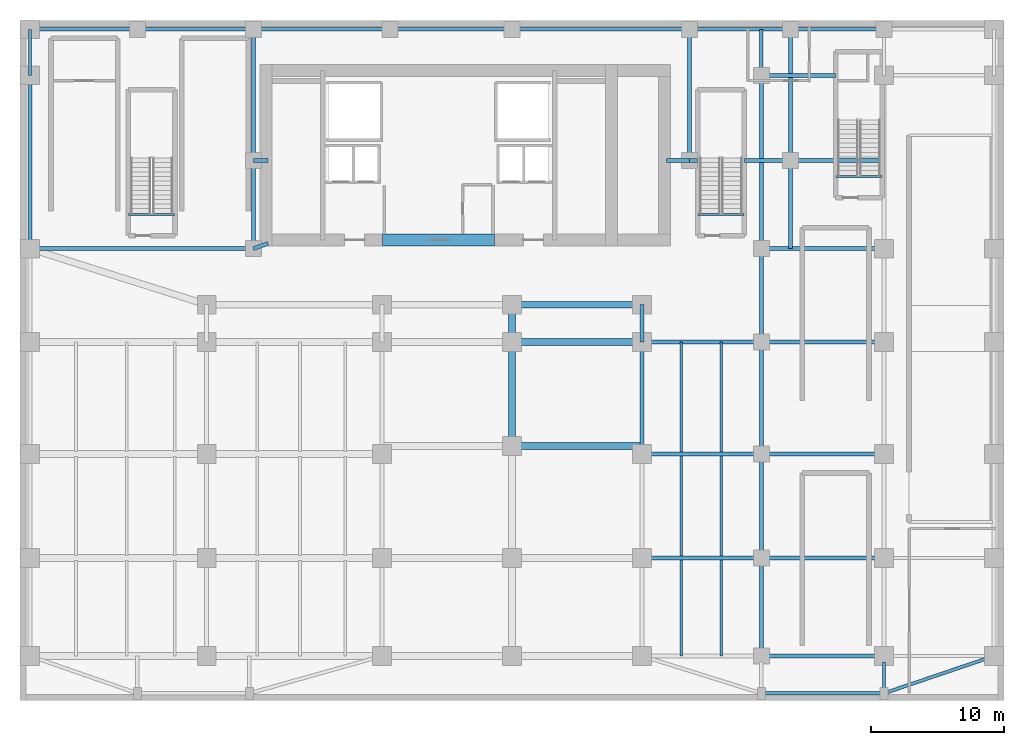
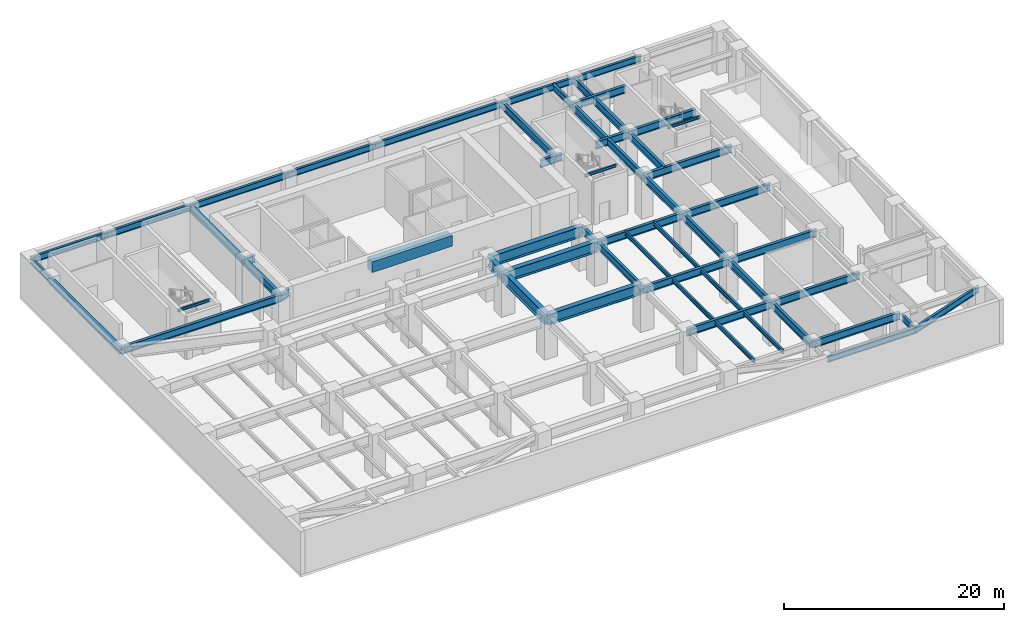
# One storey, part 2 of 8: 56 beams.
"""IFC4 building model written with IfcOpenShell, lengths in metres."""

from ifc_helpers import new_model, si_unit, direction, frame, origin, origin_2d, place, context, subcontext, project, spatial, rectangle, i_section, extrude, source, transform, mapped, material, material_profile, profile_set, type_object, type_shapes, element, save


model = new_model("IFC4")

# Units and contexts
model_context = context("Model", 3, precision=1e-05, world=origin(), true_north=direction((0.0, 1.0)))
body_context = subcontext(model_context, "Body", "Model", "MODEL_VIEW")
ifc_project = project(units=[si_unit("LENGTHUNIT", "METRE"), si_unit("AREAUNIT", "SQUARE_METRE"), si_unit("VOLUMEUNIT", "CUBIC_METRE"), si_unit("PLANEANGLEUNIT", "RADIAN"), si_unit("MASSUNIT", "GRAM", prefix="KILO")], contexts=[model_context])

# Site, building, storey
site_placement = place(None, origin())
site = spatial("IfcSite", under=ifc_project, at=site_placement, CompositionType="ELEMENT")
building_placement = place(site_placement, origin())
building = spatial("IfcBuilding", under=site, at=building_placement, Name="Tolvann Quenvar Hotel", CompositionType="ELEMENT")
storey_placement = place(building_placement, frame((0.0, 0.0, -9.60009765625)))
storey = spatial("IfcBuildingStorey", under=building, at=storey_placement, Name="B02", CompositionType="ELEMENT", Elevation=-9.60009765625)

# Beams
ifc_material_1 = material(Name="Concrete S80 (80 MPa)", Category="concrete")
ifc_material_profile_1 = material_profile(ifc_material_1, rectangle(XDim=0.89990234375, YDim=1.199951171875, at=origin_2d()), Name="RC900x1200")
ifc_profile_set_1 = profile_set([ifc_material_profile_1], Name="Concrete S80 (80 MPa)")
beam_type_1 = type_object("IfcBeamType", Name="BM_LINT_RC900x1200", PredefinedType="LINTEL", material=ifc_profile_set_1)
shared_shape_1 = source(origin(), body_context, "Body", "SweptSolid", [
    extrude(rectangle(XDim=0.89990234375, YDim=1.199951171875, at=origin_2d()), origin(), (0.0, 0.0, 1.0), 8.39990234375),
])
type_shapes(beam_type_1, [shared_shape_1])
beam_1_placement = place(storey_placement, frame((18.800048828125, 32.050048828125, 3.940185546875), z_axis=(1.0, 0.0, 0.0), x_axis=(0.0, 1.0, 0.0)))
element("IfcBeam", 1, at=beam_1_placement, inside=storey, type_object=beam_type_1, Name="Core Coupling Lintel Beam (B02)", PredefinedType="LINTEL", context=body_context, shape_type="MappedRepresentation", body=[
    mapped(shared_shape_1, transform((0.0, 0.0, 0.0), x_axis=(1.0, 0.0, 0.0), y_axis=(0.0, 1.0, 0.0), z_axis=(0.0, 0.0, 1.0), scale=1.0)),
])
ifc_material_2 = material(Name="Steel Grade 350", Category="steel")
ifc_material_profile_2 = material_profile(ifc_material_2, i_section(OverallWidth=0.300048828125, OverallDepth=0.81591796875, WebThickness=0.010009765625, FlangeThickness=0.028076171875, at=origin_2d()), Name="800WB192")
ifc_profile_set_2 = profile_set([ifc_material_profile_2], Name="Steel Grade 350")
beam_type_2 = type_object("IfcBeamType", Name="BM_GIRD_800WB192", PredefinedType="BEAM", material=ifc_profile_set_2)
shared_shape_2 = source(origin(), body_context, "Body", "SweptSolid", [
    extrude(i_section(OverallWidth=0.300048828125, OverallDepth=0.81591796875, WebThickness=0.010009765625, FlangeThickness=0.028076171875, at=origin_2d()), origin(), (0.0, 0.0, 1.0), 7.349853515625),
])
beam_2_placement = place(storey_placement, frame((47.199951171875, 0.85009765625, 4.132080078125), z_axis=(0.0, 1.0, 0.0), x_axis=(-1.0, 0.0, 0.0)))
element("IfcBeam", 2, at=beam_2_placement, inside=storey, type_object=beam_type_2, Name="BM-B02-NS-H-0", PredefinedType="BEAM", context=body_context, shape_type="MappedRepresentation", body=[
    mapped(shared_shape_2, transform((0.0, 0.0, 0.0), x_axis=(1.0, 0.0, 0.0), y_axis=(0.0, 1.0, 0.0), z_axis=(0.0, 0.0, 1.0), scale=1.0)),
])
shared_shape_3 = source(origin(), body_context, "Body", "SweptSolid", [
    extrude(i_section(OverallWidth=0.300048828125, OverallDepth=0.81591796875, WebThickness=0.010009765625, FlangeThickness=0.028076171875, at=origin_2d()), origin(), (0.0, 0.0, 1.0), 7.800048828125),
])
beam_3_placement = place(storey_placement, frame((47.199951171875, 8.199951171875, 4.132080078125), z_axis=(0.0, 1.0, 0.0), x_axis=(-1.0, 0.0, 0.0)))
element("IfcBeam", 3, at=beam_3_placement, inside=storey, type_object=beam_type_2, Name="BM-B02-NS-H-1", PredefinedType="BEAM", context=body_context, shape_type="MappedRepresentation", body=[
    mapped(shared_shape_3, transform((0.0, 0.0, 0.0), x_axis=(1.0, 0.0, 0.0), y_axis=(0.0, 1.0, 0.0), z_axis=(0.0, 0.0, 1.0), scale=1.0)),
])
shared_shape_4 = source(origin(), body_context, "Body", "SweptSolid", [
    extrude(i_section(OverallWidth=0.300048828125, OverallDepth=0.81591796875, WebThickness=0.010009765625, FlangeThickness=0.028076171875, at=origin_2d()), origin(), (0.0, 0.0, 1.0), 8.39990234375),
])
for number, where, z_axis, x_axis, name in (
    (4, (38.25, 16.0, 4.132080078125), (0.0, 1.0, 0.0), (-1.0, 0.0, 0.0), "BM-B02-NS-APE-2"),
    (5, (47.199951171875, 16.0, 4.132080078125), (0.0, 1.0, 0.0), (-1.0, 0.0, 0.0), "BM-B02-NS-H-2"),
):
    element("IfcBeam", number, at=place(storey_placement, frame(where, z_axis=z_axis, x_axis=x_axis)), inside=storey, type_object=beam_type_2, Name=name, PredefinedType="BEAM", context=body_context, shape_type="MappedRepresentation", body=[
        mapped(shared_shape_4, transform((0.0, 0.0, 0.0), x_axis=(1.0, 0.0, 0.0), y_axis=(0.0, 1.0, 0.0), z_axis=(0.0, 0.0, 1.0), scale=1.0)),
    ])
shared_shape_5 = source(origin(), body_context, "Body", "SweptSolid", [
    extrude(i_section(OverallWidth=0.300048828125, OverallDepth=0.81591796875, WebThickness=0.010009765625, FlangeThickness=0.028076171875, at=origin_2d()), origin(), (0.0, 0.0, 1.0), 2.800048828125),
])
beam_4_placement = place(storey_placement, frame((38.25, 24.39990234375, 4.132080078125), z_axis=(0.0, 1.0, 0.0), x_axis=(-1.0, 0.0, 0.0)))
element("IfcBeam", 6, at=beam_4_placement, inside=storey, type_object=beam_type_2, Name="BM-B02-NS-APE-3", PredefinedType="BEAM", context=body_context, shape_type="MappedRepresentation", body=[
    mapped(shared_shape_5, transform((0.0, 0.0, 0.0), x_axis=(1.0, 0.0, 0.0), y_axis=(0.0, 1.0, 0.0), z_axis=(0.0, 0.0, 1.0), scale=1.0)),
])
ifc_material_profile_3 = material_profile(ifc_material_2, i_section(OverallWidth=0.5, OverallDepth=1.199951171875, WebThickness=0.01611328125, FlangeThickness=0.0400390625, at=origin_2d()), Name="1200WB455")
ifc_profile_set_3 = profile_set([ifc_material_profile_3], Name="Steel Grade 350")
beam_type_3 = type_object("IfcBeamType", Name="BM_TG_1200WB455", PredefinedType="USERDEFINED", material=ifc_profile_set_3)
shared_shape_6 = source(origin(), body_context, "Body", "SweptSolid", [
    extrude(i_section(OverallWidth=0.5, OverallDepth=1.199951171875, WebThickness=0.01611328125, FlangeThickness=0.0400390625, at=origin_2d()), origin(), (0.0, 0.0, 1.0), 9.75),
])
for number, where, z_axis, x_axis, name in (
    (7, (28.5, 16.60009765625, 3.940185546875), (1.0, 0.0, 0.0), (0.0, 1.0, 0.0), "BM-B02-GA2-166"),
    (8, (28.5, 24.39990234375, 3.940185546875), (1.0, 0.0, 0.0), (0.0, 1.0, 0.0), "BM-B02-GA2-244"),
    (9, (28.5, 27.199951171875, 3.940185546875), (1.0, 0.0, 0.0), (0.0, 1.0, 0.0), "BM-B02-GA2-272"),
):
    element("IfcBeam", number, at=place(storey_placement, frame(where, z_axis=z_axis, x_axis=x_axis)), inside=storey, type_object=beam_type_3, Name=name, ObjectType="TRANSFER GIRDER", PredefinedType="USERDEFINED", context=body_context, shape_type="MappedRepresentation", body=[
        mapped(shared_shape_6, transform((0.0, 0.0, 0.0), x_axis=(1.0, 0.0, 0.0), y_axis=(0.0, 1.0, 0.0), z_axis=(0.0, 0.0, 1.0), scale=1.0)),
    ])
shared_shape_7 = source(origin(), body_context, "Body", "SweptSolid", [
    extrude(i_section(OverallWidth=0.5, OverallDepth=1.199951171875, WebThickness=0.01611328125, FlangeThickness=0.0400390625, at=origin_2d()), origin(), (0.0, 0.0, 1.0), 7.7998046875),
])
beam_5_placement = place(storey_placement, frame((28.5, 16.60009765625, 3.940185546875), z_axis=(0.0, 1.0, 0.0), x_axis=(-1.0, 0.0, 0.0)))
element("IfcBeam", 10, at=beam_5_placement, inside=storey, type_object=beam_type_3, Name="BM-B02-ARCH-NS-16", ObjectType="TRANSFER GIRDER", PredefinedType="USERDEFINED", context=body_context, shape_type="MappedRepresentation", body=[
    mapped(shared_shape_7, transform((0.0, 0.0, 0.0), x_axis=(1.0, 0.0, 0.0), y_axis=(0.0, 1.0, 0.0), z_axis=(0.0, 0.0, 1.0), scale=1.0)),
])
shared_shape_8 = source(origin(), body_context, "Body", "SweptSolid", [
    extrude(i_section(OverallWidth=0.5, OverallDepth=1.199951171875, WebThickness=0.01611328125, FlangeThickness=0.0400390625, at=origin_2d()), origin(), (0.0, 0.0, 1.0), 2.800048828125),
])
type_shapes(beam_type_3, [shared_shape_6, shared_shape_7, shared_shape_8])
beam_6_placement = place(storey_placement, frame((28.5, 24.39990234375, 3.940185546875), z_axis=(0.0, 1.0, 0.0), x_axis=(-1.0, 0.0, 0.0)))
element("IfcBeam", 11, at=beam_6_placement, inside=storey, type_object=beam_type_3, Name="BM-B02-ARCH-NS-24", ObjectType="TRANSFER GIRDER", PredefinedType="USERDEFINED", context=body_context, shape_type="MappedRepresentation", body=[
    mapped(shared_shape_8, transform((0.0, 0.0, 0.0), x_axis=(1.0, 0.0, 0.0), y_axis=(0.0, 1.0, 0.0), z_axis=(0.0, 0.0, 1.0), scale=1.0)),
])
shared_shape_9 = source(origin(), body_context, "Body", "SweptSolid", [
    extrude(i_section(OverallWidth=0.300048828125, OverallDepth=0.81591796875, WebThickness=0.010009765625, FlangeThickness=0.028076171875, at=origin_2d()), origin(), (0.0, 0.0, 1.0), 8.949951171875),
])
for number, where, z_axis, x_axis, name in (
    (12, (38.25, 8.199951171875, 4.132080078125), (1.0, 0.0, 0.0), (0.0, 1.0, 0.0), "BM-B02-GE1-2"),
    (13, (38.25, 16.0, 4.132080078125), (1.0, 0.0, 0.0), (0.0, 1.0, 0.0), "BM-B02-GE1-3"),
    (14, (38.25, 24.39990234375, 4.132080078125), (1.0, 0.0, 0.0), (0.0, 1.0, 0.0), "BM-B02-GE1-4"),
):
    element("IfcBeam", number, at=place(storey_placement, frame(where, z_axis=z_axis, x_axis=x_axis)), inside=storey, type_object=beam_type_2, Name=name, PredefinedType="BEAM", context=body_context, shape_type="MappedRepresentation", body=[
        mapped(shared_shape_9, transform((0.0, 0.0, 0.0), x_axis=(1.0, 0.0, 0.0), y_axis=(0.0, 1.0, 0.0), z_axis=(0.0, 0.0, 1.0), scale=1.0)),
    ])
shared_shape_10 = source(origin(), body_context, "Body", "SweptSolid", [
    extrude(i_section(OverallWidth=0.300048828125, OverallDepth=0.81591796875, WebThickness=0.010009765625, FlangeThickness=0.028076171875, at=origin_2d()), origin(), (0.0, 0.0, 1.0), 9.199951171875),
])
for number, where, z_axis, x_axis, name in (
    (15, (47.199951171875, 0.85009765625, 4.132080078125), (1.0, 0.0, 0.0), (0.0, 1.0, 0.0), "BM-B02-GE2-1"),
    (16, (47.199951171875, 8.199951171875, 4.132080078125), (1.0, 0.0, 0.0), (0.0, 1.0, 0.0), "BM-B02-GE2-2"),
    (17, (47.199951171875, 16.0, 4.132080078125), (1.0, 0.0, 0.0), (0.0, 1.0, 0.0), "BM-B02-GE2-3"),
    (18, (47.199951171875, 24.39990234375, 4.132080078125), (1.0, 0.0, 0.0), (0.0, 1.0, 0.0), "BM-B02-GE2-4"),
    (19, (47.199951171875, 31.39990234375, 4.132080078125), (1.0, 0.0, 0.0), (0.0, 1.0, 0.0), "BM-B02-GE2-5"),
):
    element("IfcBeam", number, at=place(storey_placement, frame(where, z_axis=z_axis, x_axis=x_axis)), inside=storey, type_object=beam_type_2, Name=name, PredefinedType="BEAM", context=body_context, shape_type="MappedRepresentation", body=[
        mapped(shared_shape_10, transform((0.0, 0.0, 0.0), x_axis=(1.0, 0.0, 0.0), y_axis=(0.0, 1.0, 0.0), z_axis=(0.0, 0.0, 1.0), scale=1.0)),
    ])
shared_shape_11 = source(origin(), body_context, "Body", "SweptSolid", [
    extrude(i_section(OverallWidth=0.300048828125, OverallDepth=0.81591796875, WebThickness=0.010009765625, FlangeThickness=0.028076171875, at=origin_2d()), origin(), (0.0, 0.0, 1.0), 5.550048828125),
])
beam_7_placement = place(storey_placement, frame((47.199951171875, 44.39990234375, 4.132080078125), z_axis=(1.0, 0.0, 0.0), x_axis=(0.0, 1.0, 0.0)))
element("IfcBeam", 20, at=beam_7_placement, inside=storey, type_object=beam_type_2, Name="BM-B02-GE2-6", PredefinedType="BEAM", context=body_context, shape_type="MappedRepresentation", body=[
    mapped(shared_shape_11, transform((0.0, 0.0, 0.0), x_axis=(1.0, 0.0, 0.0), y_axis=(0.0, 1.0, 0.0), z_axis=(0.0, 0.0, 1.0), scale=1.0)),
])
shared_shape_12 = source(origin(), body_context, "Body", "SweptSolid", [
    extrude(i_section(OverallWidth=0.300048828125, OverallDepth=0.81591796875, WebThickness=0.010009765625, FlangeThickness=0.028076171875, at=origin_2d()), origin(), (0.0, 0.0, 1.0), 7.0),
])
for number, where, z_axis, x_axis, name in (
    (21, (47.199951171875, 24.39990234375, 4.132080078125), (0.0, 1.0, 0.0), (-1.0, 0.0, 0.0), "BM-B02-NS-H-3"),
    (22, (49.39990234375, 38.0, 4.132080078125), (1.0, 0.0, 0.0), (0.0, 1.0, 0.0), "BM-B02-EW-PIN3"),
):
    element("IfcBeam", number, at=place(storey_placement, frame(where, z_axis=z_axis, x_axis=x_axis)), inside=storey, type_object=beam_type_2, Name=name, PredefinedType="BEAM", context=body_context, shape_type="MappedRepresentation", body=[
        mapped(shared_shape_12, transform((0.0, 0.0, 0.0), x_axis=(1.0, 0.0, 0.0), y_axis=(0.0, 1.0, 0.0), z_axis=(0.0, 0.0, 1.0), scale=1.0)),
    ])
shared_shape_13 = source(origin(), body_context, "Body", "SweptSolid", [
    extrude(i_section(OverallWidth=0.300048828125, OverallDepth=0.81591796875, WebThickness=0.010009765625, FlangeThickness=0.028076171875, at=origin_2d()), origin(), (0.0, 0.0, 1.0), 13.0),
])
for number, where, z_axis, x_axis, name in (
    (23, (-7.64990234375, 31.39990234375, 4.132080078125), (0.0, 1.0, 0.0), (-1.0, 0.0, 0.0), "BM-B02-NS-A-4"),
    (24, (47.199951171875, 31.39990234375, 4.132080078125), (0.0, 1.0, 0.0), (-1.0, 0.0, 0.0), "BM-B02-NS-H-4"),
):
    element("IfcBeam", number, at=place(storey_placement, frame(where, z_axis=z_axis, x_axis=x_axis)), inside=storey, type_object=beam_type_2, Name=name, PredefinedType="BEAM", context=body_context, shape_type="MappedRepresentation", body=[
        mapped(shared_shape_13, transform((0.0, 0.0, 0.0), x_axis=(1.0, 0.0, 0.0), y_axis=(0.0, 1.0, 0.0), z_axis=(0.0, 0.0, 1.0), scale=1.0)),
    ])
ifc_material_profile_4 = material_profile(ifc_material_2, i_section(OverallWidth=0.25, OverallDepth=0.699951171875, WebThickness=0.010009765625, FlangeThickness=0.02392578125, at=origin_2d()), Name="700WB150")
ifc_profile_set_4 = profile_set([ifc_material_profile_4], Name="Steel Grade 350")
beam_type_4 = type_object("IfcBeamType", Name="BM_GIRD_700WB150", PredefinedType="BEAM", material=ifc_profile_set_4)
shared_shape_14 = source(origin(), body_context, "Body", "SweptSolid", [
    extrude(i_section(OverallWidth=0.25, OverallDepth=0.699951171875, WebThickness=0.010009765625, FlangeThickness=0.02392578125, at=origin_2d()), origin(), (0.0, 0.0, 1.0), 3.4501953125),
])
for number, where, z_axis, x_axis, name in (
    (25, (-7.64990234375, 44.39990234375, 4.190185546875), (0.0, 1.0, 0.0), (-1.0, 0.0, 0.0), "BM-B02-NSN-A"),
    (26, (47.199951171875, 44.39990234375, 4.190185546875), (0.0, 1.0, 0.0), (-1.0, 0.0, 0.0), "BM-B02-NSN-H"),
):
    element("IfcBeam", number, at=place(storey_placement, frame(where, z_axis=z_axis, x_axis=x_axis)), inside=storey, type_object=beam_type_4, Name=name, PredefinedType="BEAM", context=body_context, shape_type="MappedRepresentation", body=[
        mapped(shared_shape_14, transform((0.0, 0.0, 0.0), x_axis=(1.0, 0.0, 0.0), y_axis=(0.0, 1.0, 0.0), z_axis=(0.0, 0.0, 1.0), scale=1.0)),
    ])
shared_shape_15 = source(origin(), body_context, "Body", "SweptSolid", [
    extrude(i_section(OverallWidth=0.25, OverallDepth=0.699951171875, WebThickness=0.010009765625, FlangeThickness=0.02392578125, at=origin_2d()), origin(), (0.0, 0.0, 1.0), 2.349853515625),
])
beam_8_placement = place(storey_placement, frame((56.39990234375, -1.949951171875, 4.190185546875), z_axis=(0.0, 1.0, 0.0), x_axis=(-1.0, 0.0, 0.0)))
element("IfcBeam", 27, at=beam_8_placement, inside=storey, type_object=beam_type_4, Name="BM-B02-NSS-J", PredefinedType="BEAM", context=body_context, shape_type="MappedRepresentation", body=[
    mapped(shared_shape_15, transform((0.0, 0.0, 0.0), x_axis=(1.0, 0.0, 0.0), y_axis=(0.0, 1.0, 0.0), z_axis=(0.0, 0.0, 1.0), scale=1.0)),
])
shared_shape_16 = source(origin(), body_context, "Body", "SweptSolid", [
    extrude(i_section(OverallWidth=0.25, OverallDepth=0.699951171875, WebThickness=0.010009765625, FlangeThickness=0.02392578125, at=origin_2d()), origin(), (0.0, 0.0, 1.0), 9.199951171875),
])
beam_9_placement = place(storey_placement, frame((47.199951171875, -1.949951171875, 4.190185546875), z_axis=(1.0, 0.0, 0.0), x_axis=(0.0, 1.0, 0.0)))
element("IfcBeam", 28, at=beam_9_placement, inside=storey, type_object=beam_type_4, Name="BM-B02-EWS-E1", PredefinedType="BEAM", context=body_context, shape_type="MappedRepresentation", body=[
    mapped(shared_shape_16, transform((0.0, 0.0, 0.0), x_axis=(1.0, 0.0, 0.0), y_axis=(0.0, 1.0, 0.0), z_axis=(0.0, 0.0, 1.0), scale=1.0)),
])
shared_shape_17 = source(origin(), body_context, "Body", "SweptSolid", [
    extrude(i_section(OverallWidth=0.25, OverallDepth=0.699951171875, WebThickness=0.010009765625, FlangeThickness=0.02392578125, at=origin_2d()), origin(), (0.0, 0.0, 1.0), 8.712158203125),
])
beam_10_placement = place(storey_placement, frame((56.39990234375, -1.949951171875, 4.190185546875), z_axis=(0.946945808453, 0.32139327288, 0.0), x_axis=(-0.32139327288, 0.946945808453, 0.0)))
element("IfcBeam", 29, at=beam_10_placement, inside=storey, type_object=beam_type_4, Name="BM-B02-EWS-E2", PredefinedType="BEAM", context=body_context, shape_type="MappedRepresentation", body=[
    mapped(shared_shape_17, transform((0.0, 0.0, 0.0), x_axis=(1.0, 0.0, 0.0), y_axis=(0.0, 1.0, 0.0), z_axis=(0.0, 0.0, 1.0), scale=1.0)),
])
shared_shape_18 = source(origin(), body_context, "Body", "SweptSolid", [
    extrude(i_section(OverallWidth=0.25, OverallDepth=0.699951171875, WebThickness=0.010009765625, FlangeThickness=0.02392578125, at=origin_2d()), origin(), (0.0, 0.0, 1.0), 8.0498046875),
])
beam_11_placement = place(storey_placement, frame((-7.64990234375, 47.85009765625, 4.190185546875), z_axis=(1.0, 0.0, 0.0), x_axis=(0.0, 1.0, 0.0)))
element("IfcBeam", 30, at=beam_11_placement, inside=storey, type_object=beam_type_4, Name="BM-B02-EWN-0", PredefinedType="BEAM", context=body_context, shape_type="MappedRepresentation", body=[
    mapped(shared_shape_18, transform((0.0, 0.0, 0.0), x_axis=(1.0, 0.0, 0.0), y_axis=(0.0, 1.0, 0.0), z_axis=(0.0, 0.0, 1.0), scale=1.0)),
])
shared_shape_19 = source(origin(), body_context, "Body", "SweptSolid", [
    extrude(i_section(OverallWidth=0.25, OverallDepth=0.699951171875, WebThickness=0.010009765625, FlangeThickness=0.02392578125, at=origin_2d()), origin(), (0.0, 0.0, 1.0), 8.7001953125),
])
beam_12_placement = place(storey_placement, frame((0.39990234375, 47.85009765625, 4.190185546875), z_axis=(1.0, 0.0, 0.0), x_axis=(0.0, 1.0, 0.0)))
element("IfcBeam", 31, at=beam_12_placement, inside=storey, type_object=beam_type_4, Name="BM-B02-EWN-1", PredefinedType="BEAM", context=body_context, shape_type="MappedRepresentation", body=[
    mapped(shared_shape_19, transform((0.0, 0.0, 0.0), x_axis=(1.0, 0.0, 0.0), y_axis=(0.0, 1.0, 0.0), z_axis=(0.0, 0.0, 1.0), scale=1.0)),
])
shared_shape_20 = source(origin(), body_context, "Body", "SweptSolid", [
    extrude(i_section(OverallWidth=0.25, OverallDepth=0.699951171875, WebThickness=0.010009765625, FlangeThickness=0.02392578125, at=origin_2d()), origin(), (0.0, 0.0, 1.0), 10.25),
])
beam_13_placement = place(storey_placement, frame((9.10009765625, 47.85009765625, 4.190185546875), z_axis=(1.0, 0.0, 0.0), x_axis=(0.0, 1.0, 0.0)))
element("IfcBeam", 32, at=beam_13_placement, inside=storey, type_object=beam_type_4, Name="BM-B02-EWN-2", PredefinedType="BEAM", context=body_context, shape_type="MappedRepresentation", body=[
    mapped(shared_shape_20, transform((0.0, 0.0, 0.0), x_axis=(1.0, 0.0, 0.0), y_axis=(0.0, 1.0, 0.0), z_axis=(0.0, 0.0, 1.0), scale=1.0)),
])
shared_shape_21 = source(origin(), body_context, "Body", "SweptSolid", [
    extrude(i_section(OverallWidth=0.25, OverallDepth=0.699951171875, WebThickness=0.010009765625, FlangeThickness=0.02392578125, at=origin_2d()), origin(), (0.0, 0.0, 1.0), 9.14990234375),
])
beam_14_placement = place(storey_placement, frame((19.35009765625, 47.85009765625, 4.190185546875), z_axis=(1.0, 0.0, 0.0), x_axis=(0.0, 1.0, 0.0)))
element("IfcBeam", 33, at=beam_14_placement, inside=storey, type_object=beam_type_4, Name="BM-B02-EWN-3", PredefinedType="BEAM", context=body_context, shape_type="MappedRepresentation", body=[
    mapped(shared_shape_21, transform((0.0, 0.0, 0.0), x_axis=(1.0, 0.0, 0.0), y_axis=(0.0, 1.0, 0.0), z_axis=(0.0, 0.0, 1.0), scale=1.0)),
])
shared_shape_22 = source(origin(), body_context, "Body", "SweptSolid", [
    extrude(i_section(OverallWidth=0.25, OverallDepth=0.699951171875, WebThickness=0.010009765625, FlangeThickness=0.02392578125, at=origin_2d()), origin(), (0.0, 0.0, 1.0), 13.300048828125),
])
beam_15_placement = place(storey_placement, frame((28.5, 47.85009765625, 4.190185546875), z_axis=(1.0, 0.0, 0.0), x_axis=(0.0, 1.0, 0.0)))
element("IfcBeam", 34, at=beam_15_placement, inside=storey, type_object=beam_type_4, Name="BM-B02-EWN-4", PredefinedType="BEAM", context=body_context, shape_type="MappedRepresentation", body=[
    mapped(shared_shape_22, transform((0.0, 0.0, 0.0), x_axis=(1.0, 0.0, 0.0), y_axis=(0.0, 1.0, 0.0), z_axis=(0.0, 0.0, 1.0), scale=1.0)),
])
shared_shape_23 = source(origin(), body_context, "Body", "SweptSolid", [
    extrude(i_section(OverallWidth=0.25, OverallDepth=0.699951171875, WebThickness=0.010009765625, FlangeThickness=0.02392578125, at=origin_2d()), origin(), (0.0, 0.0, 1.0), 7.599853515625),
])
beam_16_placement = place(storey_placement, frame((41.800048828125, 47.85009765625, 4.190185546875), z_axis=(1.0, 0.0, 0.0), x_axis=(0.0, 1.0, 0.0)))
element("IfcBeam", 35, at=beam_16_placement, inside=storey, type_object=beam_type_4, Name="BM-B02-EWN-5", PredefinedType="BEAM", context=body_context, shape_type="MappedRepresentation", body=[
    mapped(shared_shape_23, transform((0.0, 0.0, 0.0), x_axis=(1.0, 0.0, 0.0), y_axis=(0.0, 1.0, 0.0), z_axis=(0.0, 0.0, 1.0), scale=1.0)),
])
shared_shape_24 = source(origin(), body_context, "Body", "SweptSolid", [
    extrude(i_section(OverallWidth=0.25, OverallDepth=0.699951171875, WebThickness=0.010009765625, FlangeThickness=0.02392578125, at=origin_2d()), origin(), (0.0, 0.0, 1.0), 7.0),
])
type_shapes(beam_type_4, [shared_shape_14, shared_shape_15, shared_shape_16, shared_shape_17, shared_shape_18, shared_shape_19, shared_shape_20, shared_shape_21, shared_shape_22, shared_shape_23, shared_shape_24])
beam_17_placement = place(storey_placement, frame((49.39990234375, 47.85009765625, 4.190185546875), z_axis=(1.0, 0.0, 0.0), x_axis=(0.0, 1.0, 0.0)))
element("IfcBeam", 36, at=beam_17_placement, inside=storey, type_object=beam_type_4, Name="BM-B02-EWN-6", PredefinedType="BEAM", context=body_context, shape_type="MappedRepresentation", body=[
    mapped(shared_shape_24, transform((0.0, 0.0, 0.0), x_axis=(1.0, 0.0, 0.0), y_axis=(0.0, 1.0, 0.0), z_axis=(0.0, 0.0, 1.0), scale=1.0)),
])
shared_shape_25 = source(origin(), body_context, "Body", "SweptSolid", [
    extrude(i_section(OverallWidth=0.300048828125, OverallDepth=0.81591796875, WebThickness=0.010009765625, FlangeThickness=0.028076171875, at=origin_2d()), origin(), (0.0, 0.0, 1.0), 16.75),
])
beam_18_placement = place(storey_placement, frame((-7.64990234375, 31.39990234375, 4.132080078125), z_axis=(1.0, 0.0, 0.0), x_axis=(0.0, 1.0, 0.0)))
element("IfcBeam", 37, at=beam_18_placement, inside=storey, type_object=beam_type_2, Name="BM-B02-EW-PCNS", PredefinedType="BEAM", context=body_context, shape_type="MappedRepresentation", body=[
    mapped(shared_shape_25, transform((0.0, 0.0, 0.0), x_axis=(1.0, 0.0, 0.0), y_axis=(0.0, 1.0, 0.0), z_axis=(0.0, 0.0, 1.0), scale=1.0)),
])
shared_shape_26 = source(origin(), body_context, "Body", "SweptSolid", [
    extrude(i_section(OverallWidth=0.300048828125, OverallDepth=0.81591796875, WebThickness=0.010009765625, FlangeThickness=0.028076171875, at=origin_2d()), origin(), (0.0, 0.0, 1.0), 1.17041015625),
])
beam_19_placement = place(storey_placement, frame((9.10009765625, 31.39990234375, 4.132080078125), z_axis=(0.939738597058, 0.34189379813, 0.0), x_axis=(-0.34189379813, 0.939738597058, 0.0)))
element("IfcBeam", 38, at=beam_19_placement, inside=storey, type_object=beam_type_2, Name="BM-B02-EW-PCNS2", PredefinedType="BEAM", context=body_context, shape_type="MappedRepresentation", body=[
    mapped(shared_shape_26, transform((0.0, 0.0, 0.0), x_axis=(1.0, 0.0, 0.0), y_axis=(0.0, 1.0, 0.0), z_axis=(0.0, 0.0, 1.0), scale=1.0)),
])
shared_shape_27 = source(origin(), body_context, "Body", "SweptSolid", [
    extrude(i_section(OverallWidth=0.300048828125, OverallDepth=0.81591796875, WebThickness=0.010009765625, FlangeThickness=0.028076171875, at=origin_2d()), origin(), (0.0, 0.0, 1.0), 6.60009765625),
])
for number, where, z_axis, x_axis, name in (
    (39, (9.10009765625, 31.39990234375, 4.132080078125), (0.0, 1.0, 0.0), (-1.0, 0.0, 0.0), "BM-B02-NSB-PCN1"),
    (40, (49.39990234375, 31.39990234375, 4.132080078125), (0.0, 1.0, 0.0), (-1.0, 0.0, 0.0), "BM-B02-NSB-PIN1"),
):
    element("IfcBeam", number, at=place(storey_placement, frame(where, z_axis=z_axis, x_axis=x_axis)), inside=storey, type_object=beam_type_2, Name=name, PredefinedType="BEAM", context=body_context, shape_type="MappedRepresentation", body=[
        mapped(shared_shape_27, transform((0.0, 0.0, 0.0), x_axis=(1.0, 0.0, 0.0), y_axis=(0.0, 1.0, 0.0), z_axis=(0.0, 0.0, 1.0), scale=1.0)),
    ])
shared_shape_28 = source(origin(), body_context, "Body", "SweptSolid", [
    extrude(i_section(OverallWidth=0.300048828125, OverallDepth=0.81591796875, WebThickness=0.010009765625, FlangeThickness=0.028076171875, at=origin_2d()), origin(), (0.0, 0.0, 1.0), 9.85009765625),
])
for number, where, z_axis, x_axis, name in (
    (41, (9.10009765625, 38.0, 4.132080078125), (0.0, 1.0, 0.0), (-1.0, 0.0, 0.0), "BM-B02-NSB-PCN2"),
    (42, (41.800048828125, 38.0, 4.132080078125), (0.0, 1.0, 0.0), (-1.0, 0.0, 0.0), "BM-B02-NSB-PHN2"),
    (43, (49.39990234375, 38.0, 4.132080078125), (0.0, 1.0, 0.0), (-1.0, 0.0, 0.0), "BM-B02-NSB-PIN2"),
):
    element("IfcBeam", number, at=place(storey_placement, frame(where, z_axis=z_axis, x_axis=x_axis)), inside=storey, type_object=beam_type_2, Name=name, PredefinedType="BEAM", context=body_context, shape_type="MappedRepresentation", body=[
        mapped(shared_shape_28, transform((0.0, 0.0, 0.0), x_axis=(1.0, 0.0, 0.0), y_axis=(0.0, 1.0, 0.0), z_axis=(0.0, 0.0, 1.0), scale=1.0)),
    ])
shared_shape_29 = source(origin(), body_context, "Body", "SweptSolid", [
    extrude(i_section(OverallWidth=0.300048828125, OverallDepth=0.81591796875, WebThickness=0.010009765625, FlangeThickness=0.028076171875, at=origin_2d()), origin(), (0.0, 0.0, 1.0), 1.099853515625),
])
beam_20_placement = place(storey_placement, frame((9.10009765625, 38.0, 4.132080078125), z_axis=(1.0, 0.0, 0.0), x_axis=(0.0, 1.0, 0.0)))
element("IfcBeam", 44, at=beam_20_placement, inside=storey, type_object=beam_type_2, Name="BM-B02-EW-PCN", PredefinedType="BEAM", context=body_context, shape_type="MappedRepresentation", body=[
    mapped(shared_shape_29, transform((0.0, 0.0, 0.0), x_axis=(1.0, 0.0, 0.0), y_axis=(0.0, 1.0, 0.0), z_axis=(0.0, 0.0, 1.0), scale=1.0)),
])
shared_shape_30 = source(origin(), body_context, "Body", "SweptSolid", [
    extrude(i_section(OverallWidth=0.300048828125, OverallDepth=0.81591796875, WebThickness=0.010009765625, FlangeThickness=0.028076171875, at=origin_2d()), origin(), (0.0, 0.0, 1.0), 1.699951171875),
])
beam_21_placement = place(storey_placement, frame((40.10009765625, 38.0, 4.132080078125), z_axis=(1.0, 0.0, 0.0), x_axis=(0.0, 1.0, 0.0)))
element("IfcBeam", 45, at=beam_21_placement, inside=storey, type_object=beam_type_2, Name="BM-B02-EW-PHN1", PredefinedType="BEAM", context=body_context, shape_type="MappedRepresentation", body=[
    mapped(shared_shape_30, transform((0.0, 0.0, 0.0), x_axis=(1.0, 0.0, 0.0), y_axis=(0.0, 1.0, 0.0), z_axis=(0.0, 0.0, 1.0), scale=1.0)),
])
shared_shape_31 = source(origin(), body_context, "Body", "SweptSolid", [
    extrude(i_section(OverallWidth=0.300048828125, OverallDepth=0.81591796875, WebThickness=0.010009765625, FlangeThickness=0.028076171875, at=origin_2d()), origin(), (0.0, 0.0, 1.0), 0.625),
])
beam_22_placement = place(storey_placement, frame((41.800048828125, 38.0, 4.132080078125), z_axis=(1.0, 0.0, 0.0), x_axis=(0.0, 1.0, 0.0)))
element("IfcBeam", 46, at=beam_22_placement, inside=storey, type_object=beam_type_2, Name="BM-B02-EW-PHN2A", PredefinedType="BEAM", context=body_context, shape_type="MappedRepresentation", body=[
    mapped(shared_shape_31, transform((0.0, 0.0, 0.0), x_axis=(1.0, 0.0, 0.0), y_axis=(0.0, 1.0, 0.0), z_axis=(0.0, 0.0, 1.0), scale=1.0)),
])
shared_shape_32 = source(origin(), body_context, "Body", "SweptSolid", [
    extrude(i_section(OverallWidth=0.300048828125, OverallDepth=0.81591796875, WebThickness=0.010009765625, FlangeThickness=0.028076171875, at=origin_2d()), origin(), (0.0, 0.0, 1.0), 3.474853515625),
])
type_shapes(beam_type_2, [shared_shape_2, shared_shape_3, shared_shape_4, shared_shape_5, shared_shape_9, shared_shape_10, shared_shape_11, shared_shape_12, shared_shape_13, shared_shape_25, shared_shape_26, shared_shape_27, shared_shape_28, shared_shape_29, shared_shape_30, shared_shape_31, shared_shape_32])
beam_23_placement = place(storey_placement, frame((45.925048828125, 38.0, 4.132080078125), z_axis=(1.0, 0.0, 0.0), x_axis=(0.0, 1.0, 0.0)))
element("IfcBeam", 47, at=beam_23_placement, inside=storey, type_object=beam_type_2, Name="BM-B02-EW-PHN2B", PredefinedType="BEAM", context=body_context, shape_type="MappedRepresentation", body=[
    mapped(shared_shape_32, transform((0.0, 0.0, 0.0), x_axis=(1.0, 0.0, 0.0), y_axis=(0.0, 1.0, 0.0), z_axis=(0.0, 0.0, 1.0), scale=1.0)),
])
ifc_material_profile_5 = material_profile(ifc_material_2, i_section(OverallWidth=0.18994140625, OverallDepth=0.4541015625, WebThickness=0.008544921875, FlangeThickness=0.0126953125, FilletRadius=0.011474609375, at=origin_2d()), Name="460UB67")
ifc_profile_set_5 = profile_set([ifc_material_profile_5], Name="Steel Grade 350")
beam_type_5 = type_object("IfcBeamType", Name="BM_JOIST_460UB67", PredefinedType="JOIST", material=ifc_profile_set_5)
shared_shape_33 = source(origin(), body_context, "Body", "SweptSolid", [
    extrude(i_section(OverallWidth=0.18994140625, OverallDepth=0.4541015625, WebThickness=0.008544921875, FlangeThickness=0.0126953125, FilletRadius=0.011474609375, at=origin_2d()), origin(), (0.0, 0.0, 1.0), 7.205810546875),
])
for number, where, z_axis, x_axis, name in (
    (48, (41.199951171875, 0.85009765625, 4.31298828125), (0.0, 1.0, 0.0), (-1.0, 0.0, 0.0), "BJ-B02-412-8"),
    (49, (44.199951171875, 0.85009765625, 4.31298828125), (0.0, 1.0, 0.0), (-1.0, 0.0, 0.0), "BJ-B02-442-8"),
):
    element("IfcBeam", number, at=place(storey_placement, frame(where, z_axis=z_axis, x_axis=x_axis)), inside=storey, type_object=beam_type_5, Name=name, PredefinedType="JOIST", context=body_context, shape_type="MappedRepresentation", body=[
        mapped(shared_shape_33, transform((0.0, 0.0, 0.0), x_axis=(1.0, 0.0, 0.0), y_axis=(0.0, 1.0, 0.0), z_axis=(0.0, 0.0, 1.0), scale=1.0)),
    ])
shared_shape_34 = source(origin(), body_context, "Body", "SweptSolid", [
    extrude(i_section(OverallWidth=0.18994140625, OverallDepth=0.4541015625, WebThickness=0.008544921875, FlangeThickness=0.0126953125, FilletRadius=0.011474609375, at=origin_2d()), origin(), (0.0, 0.0, 1.0), 7.511962890625),
])
for number, where, z_axis, x_axis, name in (
    (50, (41.199951171875, 8.343994140625, 4.31298828125), (0.0, 1.0, 0.0), (-1.0, 0.0, 0.0), "BJ-B02-412-82"),
    (51, (44.199951171875, 8.343994140625, 4.31298828125), (0.0, 1.0, 0.0), (-1.0, 0.0, 0.0), "BJ-B02-442-82"),
):
    element("IfcBeam", number, at=place(storey_placement, frame(where, z_axis=z_axis, x_axis=x_axis)), inside=storey, type_object=beam_type_5, Name=name, PredefinedType="JOIST", context=body_context, shape_type="MappedRepresentation", body=[
        mapped(shared_shape_34, transform((0.0, 0.0, 0.0), x_axis=(1.0, 0.0, 0.0), y_axis=(0.0, 1.0, 0.0), z_axis=(0.0, 0.0, 1.0), scale=1.0)),
    ])
shared_shape_35 = source(origin(), body_context, "Body", "SweptSolid", [
    extrude(i_section(OverallWidth=0.18994140625, OverallDepth=0.4541015625, WebThickness=0.008544921875, FlangeThickness=0.0126953125, FilletRadius=0.011474609375, at=origin_2d()), origin(), (0.0, 0.0, 1.0), 8.255859375),
])
type_shapes(beam_type_5, [shared_shape_33, shared_shape_34, shared_shape_35])
for number, where, z_axis, x_axis, name in (
    (52, (41.199951171875, 16.14404296875, 4.31298828125), (0.0, 1.0, 0.0), (-1.0, 0.0, 0.0), "BJ-B02-412-160"),
    (53, (44.199951171875, 16.14404296875, 4.31298828125), (0.0, 1.0, 0.0), (-1.0, 0.0, 0.0), "BJ-B02-442-160"),
):
    element("IfcBeam", number, at=place(storey_placement, frame(where, z_axis=z_axis, x_axis=x_axis)), inside=storey, type_object=beam_type_5, Name=name, PredefinedType="JOIST", context=body_context, shape_type="MappedRepresentation", body=[
        mapped(shared_shape_35, transform((0.0, 0.0, 0.0), x_axis=(1.0, 0.0, 0.0), y_axis=(0.0, 1.0, 0.0), z_axis=(0.0, 0.0, 1.0), scale=1.0)),
    ])
ifc_material_profile_6 = material_profile(ifc_material_2, i_section(OverallWidth=0.166015625, OverallDepth=0.306884765625, WebThickness=0.006591796875, FlangeThickness=0.01171875, FilletRadius=0.011474609375, at=origin_2d()), Name="310UB46")
ifc_profile_set_6 = profile_set([ifc_material_profile_6], Name="Steel Grade 350")
beam_type_6 = type_object("IfcBeamType", Name="BM_JOIST_310UB46", PredefinedType="JOIST", material=ifc_profile_set_6)
shared_shape_36 = source(origin(), body_context, "Body", "SweptSolid", [
    extrude(i_section(OverallWidth=0.166015625, OverallDepth=0.306884765625, WebThickness=0.006591796875, FlangeThickness=0.01171875, FilletRadius=0.011474609375, at=origin_2d()), origin(), (0.0, 0.0, 1.0), 3.449951171875),
])
type_shapes(beam_type_6, [shared_shape_36])
for number, where, z_axis, x_axis, name in (
    (54, (-0.25, 33.965087890625, 4.38671875), (1.0, 0.0, 0.0), (0.0, 1.0, 0.0), "BM-HDR-ST-B1-B01"),
    (55, (42.449951171875, 33.965087890625, 4.38671875), (1.0, 0.0, 0.0), (0.0, 1.0, 0.0), "BM-HDR-ST-B2-B01"),
    (56, (52.800048828125, 36.81494140625, 4.38671875), (1.0, 0.0, 0.0), (0.0, 1.0, 0.0), "BM-HDR-ST-B3-B01"),
):
    element("IfcBeam", number, at=place(storey_placement, frame(where, z_axis=z_axis, x_axis=x_axis)), inside=storey, type_object=beam_type_6, Name=name, PredefinedType="JOIST", context=body_context, shape_type="MappedRepresentation", body=[
        mapped(shared_shape_36, transform((0.0, 0.0, 0.0), x_axis=(1.0, 0.0, 0.0), y_axis=(0.0, 1.0, 0.0), z_axis=(0.0, 0.0, 1.0), scale=1.0)),
    ])

save(model, "model.ifc")
